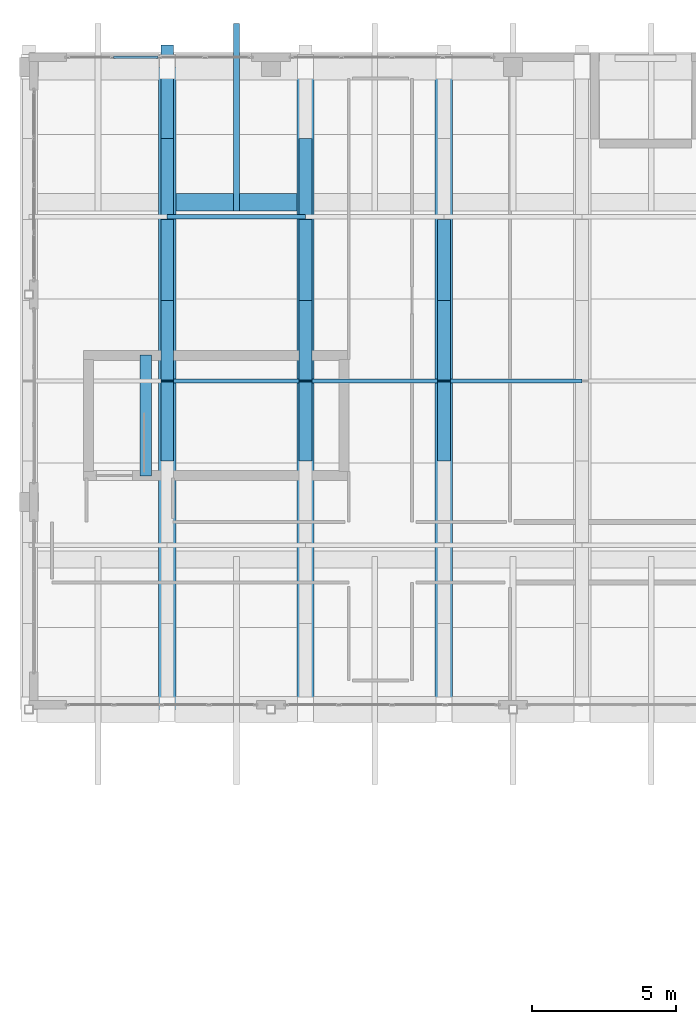
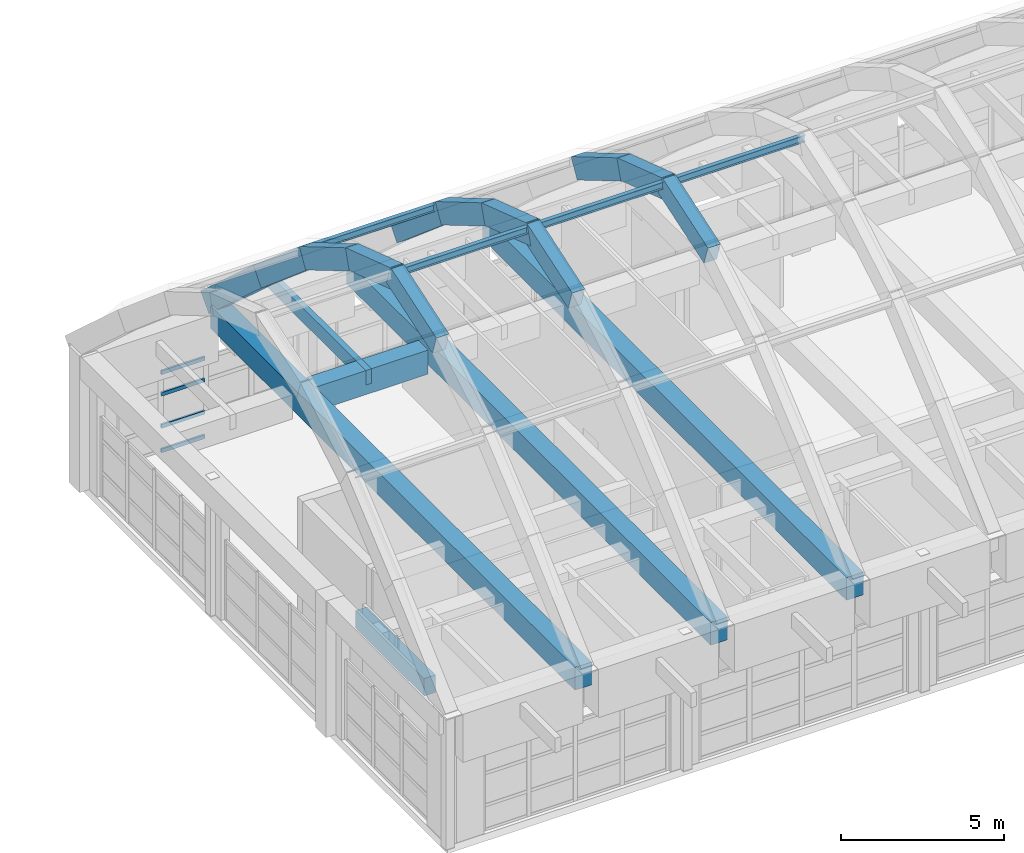
# One storey, part 37 of 78: 17 beams, 9 members, 1 element without a shape of its own.
"""IFC4 building model written with IfcOpenShell, lengths in metres."""

import ifcopenshell
import ifcopenshell.guid

model = None  # the IFC model being written
_history = None  # IfcOwnerHistory: only IFC2X3 demands one
_inside = {}  # id of a spatial element -> (the spatial element, [elements in it])
_under = {}  # id of a project, library or spatial element -> (it, [spatial elements below it])
_declared = {}  # id of a project -> (the project, [libraries it declares])
_typed = {}  # id of a type object -> (the type object, [elements of that type])
_made_of = {}  # id of a material, layer set ... -> (it, [elements and type objects made of it])


def new_model(schema):
    """Start an empty IFC model of exactly this schema.

    Asked for "IFC4X3", IfcOpenShell would pick the latest addendum, in which some entities
    have other attributes; the version numbers below select the first issue.
    IFC2X3 requires an IfcOwnerHistory on every rooted entity: one is made here for all.
    """
    global model, _history
    if schema == "IFC4X3":
        model = ifcopenshell.file(schema_version=(4, 3, 0, 0))
    else:
        model = ifcopenshell.file(schema=schema)
    _inside.clear()
    _under.clear()
    _declared.clear()
    _typed.clear()
    _made_of.clear()
    _history = None
    if model.schema == "IFC2X3":
        org = make("IfcOrganization", Name="unknown")
        user = make(
            "IfcPersonAndOrganization",
            ThePerson=make("IfcPerson", FamilyName="unknown"),
            TheOrganization=org,
        )
        app = make(
            "IfcApplication",
            ApplicationDeveloper=org,
            Version="unknown",
            ApplicationFullName="unknown",
            ApplicationIdentifier="unknown",
        )
        _history = make(
            "IfcOwnerHistory",
            OwningUser=user,
            OwningApplication=app,
            ChangeAction="ADDED",
            CreationDate=0,
        )
    return model


def make(cls, **values):
    """One entity of the class cls with the attributes given. An attribute that is None is left unset."""
    return model.create_entity(
        cls, **{name: value for name, value in values.items() if value is not None}
    )


def rooted(cls, **values):
    """An entity with a GlobalId (a new one), such as an element, a storey or a relation."""
    return make(cls, GlobalId=ifcopenshell.guid.new(), OwnerHistory=_history, **values)


def si_unit(unit_type, name, prefix=None):
    """IfcSIUnit, for example si_unit("LENGTHUNIT", "METRE", prefix="MILLI")."""
    return make("IfcSIUnit", UnitType=unit_type, Prefix=prefix, Name=name)


def assignment(units):
    """IfcUnitAssignment: the units of a project."""
    return None if units is None else make("IfcUnitAssignment", Units=units)


def point(xyz):
    """IfcCartesianPoint."""
    return None if xyz is None else make("IfcCartesianPoint", Coordinates=xyz)


def direction(xyz):
    """IfcDirection."""
    return None if xyz is None else make("IfcDirection", DirectionRatios=xyz)


def frame(location, z_axis=None, x_axis=None):
    """IfcAxis2Placement3D, a coordinate frame: its origin and axes. An axis left out is left unset."""
    return make(
        "IfcAxis2Placement3D",
        Location=point(location),
        Axis=direction(z_axis),
        RefDirection=direction(x_axis),
    )


def frame_2d(location, x_axis=None):
    """IfcAxis2Placement2D, a coordinate frame in the plane: its origin and x axis."""
    return make(
        "IfcAxis2Placement2D", Location=point(location), RefDirection=direction(x_axis)
    )


def origin():
    """The frame at (0, 0, 0) with its axes left unset."""
    return frame((0.0, 0.0, 0.0))


def origin_2d():
    """The frame at (0, 0) in the plane with its x axis left unset."""
    return frame_2d((0.0, 0.0))


def place(relative_to, where):
    """IfcLocalPlacement: puts the frame where relative to a parent placement (None: the world)."""
    return make(
        "IfcLocalPlacement", PlacementRelTo=relative_to, RelativePlacement=where
    )


def context(
    kind, dimensions, precision=None, world=None, true_north=None, identifier=None
):
    """IfcGeometricRepresentationContext, for example the 3D "Model" context."""
    return make(
        "IfcGeometricRepresentationContext",
        ContextIdentifier=identifier,
        ContextType=kind,
        CoordinateSpaceDimension=dimensions,
        Precision=precision,
        WorldCoordinateSystem=world,
        TrueNorth=true_north,
    )


def subcontext(parent, identifier, kind, view, scale=None):
    """IfcGeometricRepresentationSubContext, for example "Body" below "Model"."""
    return make(
        "IfcGeometricRepresentationSubContext",
        ContextIdentifier=identifier,
        ContextType=kind,
        ParentContext=parent,
        TargetScale=scale,
        TargetView=view,
    )


def project(units=None, contexts=None):
    """IfcProject with its units and contexts."""
    return rooted(
        "IfcProject",
        Name="project",
        RepresentationContexts=contexts,
        UnitsInContext=assignment(units),
    )


def spatial(cls, under=None, at=None, **own):
    """A site, building, storey or space (cls), placed at a placement, below another one or the project."""
    s = rooted(cls, ObjectPlacement=at, **own)
    if under is not None:
        _under.setdefault(under.id(), (under, []))[1].append(s)
    return s


def profile(cls, at=None, kind="AREA", **sizes):
    """A parametric profile (cls). Its sizes go by their IFC names, for example OverallWidth=200.0."""
    return make(cls, ProfileType=kind, Position=at, **sizes)


def rectangle(**sizes):
    """IfcRectangleProfileDef."""
    return profile("IfcRectangleProfileDef", **sizes)


def hollow_rectangle(**sizes):
    """IfcRectangleHollowProfileDef."""
    return profile("IfcRectangleHollowProfileDef", **sizes)


def i_section(**sizes):
    """IfcIShapeProfileDef."""
    return profile("IfcIShapeProfileDef", **sizes)


def extrude(swept, where, along, depth):
    """IfcExtrudedAreaSolid: the profile swept, set in the frame where, extruded along a direction by depth."""
    return make(
        "IfcExtrudedAreaSolid",
        SweptArea=swept,
        Position=where,
        ExtrudedDirection=direction(along),
        Depth=depth,
    )


def shape(context_of_items, identifier, shape_type, items):
    """IfcShapeRepresentation: the items that make up one representation, for example the "Body"."""
    return make(
        "IfcShapeRepresentation",
        ContextOfItems=context_of_items,
        RepresentationIdentifier=identifier,
        RepresentationType=shape_type,
        Items=items,
    )


def material(Name=None, Category=None):
    """IfcMaterial."""
    return make("IfcMaterial", Name=Name, Category=Category)


def layer(
    of_material, thickness, ventilated=None, Name=None, Category=None, Priority=None
):
    """IfcMaterialLayer: one layer of a wall or slab, of a material (None: an air gap)."""
    return make(
        "IfcMaterialLayer",
        Material=of_material,
        LayerThickness=thickness,
        IsVentilated=ventilated,
        Name=Name,
        Category=Category,
        Priority=Priority,
    )


def layer_set(layers, Name=None):
    """IfcMaterialLayerSet."""
    return make("IfcMaterialLayerSet", MaterialLayers=layers, LayerSetName=Name)


def material_profile(
    of_material, cross_section, Name=None, Category=None, Priority=None
):
    """IfcMaterialProfile: a cross section and its material."""
    return make(
        "IfcMaterialProfile",
        Name=Name,
        Material=of_material,
        Profile=cross_section,
        Priority=Priority,
        Category=Category,
    )


def profile_set(profiles, Name=None, composite=None):
    """IfcMaterialProfileSet."""
    return make(
        "IfcMaterialProfileSet",
        Name=Name,
        MaterialProfiles=profiles,
        CompositeProfile=composite,
    )


def made_of(thing, what):
    """Note that an element or type object is made of a material, layer set ...; save() writes the relation."""
    if what is not None:
        _made_of.setdefault(what.id(), (what, []))[1].append(thing)
    return thing


def type_object(cls, material=None, **own):
    """A type object (cls), such as IfcWallType, which elements share."""
    return made_of(rooted(cls, **own), material)


def element(
    cls,
    number,
    at=None,
    inside=None,
    cuts=None,
    type_object=None,
    material=None,
    context=None,
    identifier="Body",
    shape_type=None,
    held_by="IfcProductDefinitionShape",
    body=None,
    shapes=None,
    **own,
):
    """One element of the class cls, such as IfcWall. Its Tag is "e" and its number.

    at: its placement. inside: the storey or other place that contains it. cuts: it is an
    opening in that element (IfcRelVoidsElement). A single representation is given by context,
    identifier, shape_type and body (its items); several are given by shapes. held_by: the class
    of the entity that holds the representations. save() writes the other relations.
    """
    e = rooted(cls, Tag="e%d" % number, ObjectPlacement=at, **own)
    if body is not None:
        shapes = [shape(context, identifier, shape_type, body)]
    if shapes is not None:
        e.Representation = make(held_by, Representations=shapes)
    if inside is not None:
        _inside.setdefault(inside.id(), (inside, []))[1].append(e)
    if cuts is not None:
        rooted(
            "IfcRelVoidsElement", RelatingBuildingElement=cuts, RelatedOpeningElement=e
        )
    if type_object is not None:
        _typed.setdefault(type_object.id(), (type_object, []))[1].append(e)
    return made_of(e, material)


def aggregate(whole, parts):
    """IfcRelAggregates: a whole, such as a stair, and the parts it consists of."""
    return rooted("IfcRelAggregates", RelatingObject=whole, RelatedObjects=parts)


def save(model, path):
    """Write the relations noted so far, then the file.

    IfcRelAggregates (storeys below a building ...), IfcRelContainedInSpatialStructure (elements
    in a storey), IfcRelDefinesByType, IfcRelAssociatesMaterial and IfcRelDeclares: one each for
    every whole, place, type object, material and project.
    """
    for whole, parts in _under.values():
        aggregate(whole, parts)
    for where, things in _inside.values():
        rooted(
            "IfcRelContainedInSpatialStructure",
            RelatedElements=things,
            RelatingStructure=where,
        )
    for kind, things in _typed.values():
        rooted("IfcRelDefinesByType", RelatedObjects=things, RelatingType=kind)
    for what, things in _made_of.values():
        rooted("IfcRelAssociatesMaterial", RelatedObjects=things, RelatingMaterial=what)
    for by, libraries in _declared.values():
        rooted("IfcRelDeclares", RelatingContext=by, RelatedDefinitions=libraries)
    model.write(path)


model = new_model("IFC4")

# Units and contexts
model_context = context("Model", 3, precision=1e-05, world=origin(), true_north=direction((0.0, 1.0)))
body_context = subcontext(model_context, "Body", "Model", "MODEL_VIEW")
ifc_project = project(units=[si_unit("LENGTHUNIT", "METRE"), si_unit("AREAUNIT", "SQUARE_METRE"), si_unit("VOLUMEUNIT", "CUBIC_METRE"), si_unit("PLANEANGLEUNIT", "RADIAN"), si_unit("MASSUNIT", "GRAM", prefix="KILO")], contexts=[model_context])

# Site, building, storey
site_placement = place(None, origin())
site = spatial("IfcSite", under=ifc_project, at=site_placement, CompositionType="ELEMENT")
building_placement = place(site_placement, origin())
building = spatial("IfcBuilding", under=site, at=building_placement, Name="Quendrovan Civic Courthouse", CompositionType="ELEMENT")
storey_placement = place(building_placement, frame((0.0, 0.0, 20.39990234375)))
storey = spatial("IfcBuildingStorey", under=building, at=storey_placement, Name="L05", CompositionType="ELEMENT", Elevation=20.39990234375)

# Beams
ifc_material_1 = material(Name="Post-tensioned concrete C50/60", Category="concrete")
ifc_material_profile_1 = material_profile(ifc_material_1, rectangle(XDim=0.60009765625, YDim=0.85009765625, at=origin_2d()), Name="PT-TIE-600x850")
ifc_profile_set_1 = profile_set([ifc_material_profile_1], Name="Post-tensioned concrete C50/60")
beam_type_1 = type_object("IfcBeamType", Name="BM-PTTIE850", PredefinedType="BEAM", material=ifc_profile_set_1)
for number, where, z_axis, x_axis, name in (
    (1, (114.0, 87.60009765625, 4.675048828125), (0.0, 1.0, 0.0), (-1.0, 0.0, 0.0), "BV1 Vault Post-Tensioned Tie Beam A2"),
    (2, (118.800048828125, 87.60009765625, 4.675048828125), (0.0, 1.0, 0.0), (-1.0, 0.0, 0.0), "BV1 Vault Post-Tensioned Tie Beam A3"),
    (3, (123.60009765625, 87.60009765625, 4.675048828125), (0.0, 1.0, 0.0), (-1.0, 0.0, 0.0), "BV1 Vault Post-Tensioned Tie Beam A4"),
):
    element("IfcBeam", number, at=place(storey_placement, frame(where, z_axis=z_axis, x_axis=x_axis)), inside=storey, type_object=beam_type_1, Name=name, PredefinedType="BEAM", context=body_context, shape_type="SweptSolid", body=[
        extrude(rectangle(XDim=0.60009765625, YDim=0.85009765625, at=origin_2d()), origin(), (0.0, 0.0, 1.0), 22.2998046875),
    ])
ifc_material_2 = material(Name="Concrete C40/50", Category="concrete")
ifc_material_profile_2 = material_profile(ifc_material_2, rectangle(XDim=0.39990234375, YDim=0.64990234375, at=origin_2d()), Name="RC-BM-400x650")
ifc_profile_set_2 = profile_set([ifc_material_profile_2], Name="Concrete C40/50")
beam_type_2 = type_object("IfcBeamType", Name="BM-RC650", PredefinedType="JOIST", material=ifc_profile_set_2)
beam_1_placement = place(storey_placement, frame((113.25, 95.699951171875, -0.324951171875), z_axis=(0.0, 1.0, 0.0), x_axis=(-1.0, 0.0, 0.0)))
element("IfcBeam", 4, at=beam_1_placement, inside=storey, type_object=beam_type_2, Name="L05 Stair ST6 Landing Trimmer Beam", PredefinedType="JOIST", context=body_context, shape_type="SweptSolid", body=[
    extrude(rectangle(XDim=0.39990234375, YDim=0.64990234375, at=origin_2d()), origin(), (0.0, 0.0, 1.0), 4.199951171875),
])
ifc_material_profile_3 = material_profile(ifc_material_2, rectangle(XDim=0.60009765625, YDim=0.89990234375, at=origin_2d()), Name="RC-BM-600x900")
ifc_profile_set_3 = profile_set([ifc_material_profile_3], Name="Concrete C40/50")
beam_type_3 = type_object("IfcBeamType", Name="BM-RC900", PredefinedType="BEAM", material=ifc_profile_set_3)
beam_2_placement = place(storey_placement, frame((114.300048828125, 105.199951171875, 4.35009765625), z_axis=(1.0, 0.0, 0.0), x_axis=(0.0, 1.0, 0.0)))
element("IfcBeam", 5, at=beam_2_placement, inside=storey, type_object=beam_type_3, Name="BV1 Eave Backspan Collector Beam N-B2", PredefinedType="BEAM", context=body_context, shape_type="SweptSolid", body=[
    extrude(rectangle(XDim=0.60009765625, YDim=0.89990234375, at=origin_2d()), origin(), (0.0, 0.0, 1.0), 4.199951171875),
])
ifc_material_profile_4 = material_profile(ifc_material_2, rectangle(XDim=0.449951171875, YDim=0.75, at=origin_2d()), Name="RC-VRIB-450x750")
ifc_profile_set_4 = profile_set([ifc_material_profile_4], Name="Concrete C40/50")
beam_type_4 = type_object("IfcBeamType", Name="BM-VRIB750", PredefinedType="BEAM", material=ifc_profile_set_4)
for number, where, z_axis, x_axis, name in (
    (6, (114.0, 96.33154296875, 11.8115234375), (0.0, 0.948872737185, 0.315658880164), (-1.0, 0.0, 0.0), "BV1 Concrete Vault Arch Rib A2-C4"),
    (7, (114.0, 98.8583984375, 12.746337890625), (0.0, 0.948872737185, -0.315658880164), (-1.0, 0.0, 0.0), "BV1 Concrete Vault Arch Rib A2-C5"),
):
    element("IfcBeam", number, at=place(storey_placement, frame(where, z_axis=z_axis, x_axis=x_axis)), inside=storey, type_object=beam_type_4, Name=name, PredefinedType="BEAM", context=body_context, shape_type="SweptSolid", body=[
        extrude(rectangle(XDim=0.449951171875, YDim=0.75, at=origin_2d()), origin(), (0.0, 0.0, 1.0), 2.96142578125),
    ])
beam_3_placement = place(storey_placement, frame((114.0, 101.557861328125, 11.86181640625), z_axis=(0.0, 0.861355141515, -0.508003267889), x_axis=(-1.0, 0.0, 0.0)))
element("IfcBeam", 8, at=beam_3_placement, inside=storey, type_object=beam_type_4, Name="BV1 Concrete Vault Arch Rib A2-C6", PredefinedType="BEAM", context=body_context, shape_type="SweptSolid", body=[
    extrude(rectangle(XDim=0.449951171875, YDim=0.75, at=origin_2d()), origin(), (0.0, 0.0, 1.0), 3.308837890625),
])
beam_4_placement = place(storey_placement, frame((114.0, 104.327880859375, 10.23779296875), z_axis=(0.0, 0.762387086329, -0.647121264214), x_axis=(-1.0, 0.0, 0.0)))
element("IfcBeam", 9, at=beam_4_placement, inside=storey, type_object=beam_type_4, Name="BV1 Concrete Vault Arch Rib A2-C7", PredefinedType="BEAM", context=body_context, shape_type="SweptSolid", body=[
    extrude(rectangle(XDim=0.449951171875, YDim=0.75, at=origin_2d()), origin(), (0.0, 0.0, 1.0), 3.73828125),
])
beam_5_placement = place(storey_placement, frame((114.0, 107.123291015625, 7.871826171875), z_axis=(0.0, 0.740733725172, -0.671798740988), x_axis=(-1.0, 0.0, 0.0)))
element("IfcBeam", 10, at=beam_5_placement, inside=storey, type_object=beam_type_4, Name="BV1 Concrete Vault Arch Rib A2-C8", PredefinedType="BEAM", context=body_context, shape_type="SweptSolid", body=[
    extrude(rectangle(XDim=0.449951171875, YDim=0.75, at=origin_2d()), origin(), (0.0, 0.0, 1.0), 4.423583984375),
])
for number, where, z_axis, x_axis, name in (
    (11, (118.800048828125, 96.33154296875, 11.8115234375), (0.0, 0.948872737185, 0.315658880164), (-1.0, 0.0, 0.0), "BV1 Concrete Vault Arch Rib A3-C4"),
    (12, (118.800048828125, 98.8583984375, 12.746337890625), (0.0, 0.948872737185, -0.315658880164), (-1.0, 0.0, 0.0), "BV1 Concrete Vault Arch Rib A3-C5"),
):
    element("IfcBeam", number, at=place(storey_placement, frame(where, z_axis=z_axis, x_axis=x_axis)), inside=storey, type_object=beam_type_4, Name=name, PredefinedType="BEAM", context=body_context, shape_type="SweptSolid", body=[
        extrude(rectangle(XDim=0.449951171875, YDim=0.75, at=origin_2d()), origin(), (0.0, 0.0, 1.0), 2.96142578125),
    ])
beam_6_placement = place(storey_placement, frame((118.800048828125, 101.557861328125, 11.86181640625), z_axis=(0.0, 0.861355141515, -0.508003267889), x_axis=(-1.0, 0.0, 0.0)))
element("IfcBeam", 13, at=beam_6_placement, inside=storey, type_object=beam_type_4, Name="BV1 Concrete Vault Arch Rib A3-C6", PredefinedType="BEAM", context=body_context, shape_type="SweptSolid", body=[
    extrude(rectangle(XDim=0.449951171875, YDim=0.75, at=origin_2d()), origin(), (0.0, 0.0, 1.0), 3.308837890625),
])
beam_7_placement = place(storey_placement, frame((118.800048828125, 104.327880859375, 10.23779296875), z_axis=(0.0, 0.762387086329, -0.647121264214), x_axis=(-1.0, 0.0, 0.0)))
element("IfcBeam", 14, at=beam_7_placement, inside=storey, type_object=beam_type_4, Name="BV1 Concrete Vault Arch Rib A3-C7", PredefinedType="BEAM", context=body_context, shape_type="SweptSolid", body=[
    extrude(rectangle(XDim=0.449951171875, YDim=0.75, at=origin_2d()), origin(), (0.0, 0.0, 1.0), 3.73828125),
])
for number, where, z_axis, x_axis, name in (
    (15, (123.60009765625, 96.33154296875, 11.8115234375), (0.0, 0.948872737185, 0.315658880164), (-1.0, 0.0, 0.0), "BV1 Concrete Vault Arch Rib A4-C4"),
    (16, (123.60009765625, 98.8583984375, 12.746337890625), (0.0, 0.948872737185, -0.315658880164), (-1.0, 0.0, 0.0), "BV1 Concrete Vault Arch Rib A4-C5"),
):
    element("IfcBeam", number, at=place(storey_placement, frame(where, z_axis=z_axis, x_axis=x_axis)), inside=storey, type_object=beam_type_4, Name=name, PredefinedType="BEAM", context=body_context, shape_type="SweptSolid", body=[
        extrude(rectangle(XDim=0.449951171875, YDim=0.75, at=origin_2d()), origin(), (0.0, 0.0, 1.0), 2.96142578125),
    ])
beam_8_placement = place(storey_placement, frame((123.60009765625, 101.557861328125, 11.86181640625), z_axis=(0.0, 0.861355141515, -0.508003267889), x_axis=(-1.0, 0.0, 0.0)))
element("IfcBeam", 17, at=beam_8_placement, inside=storey, type_object=beam_type_4, Name="BV1 Concrete Vault Arch Rib A4-C6", PredefinedType="BEAM", context=body_context, shape_type="SweptSolid", body=[
    extrude(rectangle(XDim=0.449951171875, YDim=0.75, at=origin_2d()), origin(), (0.0, 0.0, 1.0), 3.308837890625),
])

# Curtain wall, members
ifc_material_3 = material(Name="Bronze anodised aluminium and low-E glass", Category="aluminium")
ifc_layer = layer(ifc_material_3, 0.179931640625, Name="Bronze anodised aluminium and low-E glass")
ifc_layer_set = layer_set([ifc_layer], Name="Bronze anodised aluminium and low-E glass")
curtain_wall_type = type_object("IfcCurtainWallType", Name="CW-U64x30", PredefinedType="USERDEFINED", material=ifc_layer_set)
curtain_wall_placement = place(storey_placement, origin())
curtain_wall = element("IfcCurtainWall", 18, at=curtain_wall_placement, inside=storey, type_object=curtain_wall_type, Name="L05 Unitised Hurricane Curtain Wall CW-192", ObjectType="UNITISED CURTAIN WALL", PredefinedType="USERDEFINED")
ifc_material_4 = material(Name="Bronze anodised aluminium", Category="aluminium")
ifc_material_profile_5 = material_profile(ifc_material_4, hollow_rectangle(XDim=0.070068359375, YDim=0.139892578125, WallThickness=0.00390625, at=origin_2d()), Name="CW-TRAN-70x140")
ifc_profile_set_5 = profile_set([ifc_material_profile_5], Name="Bronze anodised aluminium")
member_type_1 = type_object("IfcMemberType", Name="CW-TRAN-A", PredefinedType="USERDEFINED", material=ifc_profile_set_5)
member_1_placement = place(storey_placement, frame((112.141357421875, 110.235107421875, 0.03515625), z_axis=(1.0, 0.0, 0.0), x_axis=(0.0, 1.0, 0.0)))
member_1 = element("IfcMember", 19, at=member_1_placement, type_object=member_type_1, Name="CW-192 transom 2.1", ObjectType="TRANSOM", PredefinedType="USERDEFINED", context=body_context, shape_type="SweptSolid", body=[
    extrude(hollow_rectangle(XDim=0.070068359375, YDim=0.139892578125, WallThickness=0.00390625, at=origin_2d()), origin(), (0.0, 0.0, 1.0), 1.5361328125),
])
member_2_placement = place(storey_placement, frame((112.141357421875, 110.235107421875, 0.9501953125), z_axis=(1.0, 0.0, 0.0), x_axis=(0.0, 1.0, 0.0)))
member_2 = element("IfcMember", 20, at=member_2_placement, type_object=member_type_1, Name="CW-192 transom 2.2", ObjectType="TRANSOM", PredefinedType="USERDEFINED", context=body_context, shape_type="SweptSolid", body=[
    extrude(hollow_rectangle(XDim=0.070068359375, YDim=0.139892578125, WallThickness=0.00390625, at=origin_2d()), origin(), (0.0, 0.0, 1.0), 1.5361328125),
])
member_3_placement = place(storey_placement, frame((112.141357421875, 110.235107421875, 2.150146484375), z_axis=(1.0, 0.0, 0.0), x_axis=(0.0, 1.0, 0.0)))
member_3 = element("IfcMember", 21, at=member_3_placement, type_object=member_type_1, Name="CW-192 transom 2.3", ObjectType="TRANSOM", PredefinedType="USERDEFINED", context=body_context, shape_type="SweptSolid", body=[
    extrude(hollow_rectangle(XDim=0.070068359375, YDim=0.139892578125, WallThickness=0.00390625, at=origin_2d()), origin(), (0.0, 0.0, 1.0), 1.5361328125),
])
member_4_placement = place(storey_placement, frame((112.141357421875, 110.235107421875, 2.955078125), z_axis=(1.0, 0.0, 0.0), x_axis=(0.0, 1.0, 0.0)))
member_4 = element("IfcMember", 22, at=member_4_placement, type_object=member_type_1, Name="CW-192 transom 2.4", ObjectType="TRANSOM", PredefinedType="USERDEFINED", context=body_context, shape_type="SweptSolid", body=[
    extrude(hollow_rectangle(XDim=0.070068359375, YDim=0.139892578125, WallThickness=0.00390625, at=origin_2d()), origin(), (0.0, 0.0, 1.0), 1.5361328125),
])
aggregate(curtain_wall, [member_1, member_2, member_3, member_4])

# Members
ifc_material_5 = material(Name="Western Red Cedar Glulam GL28h", Category="wood")
ifc_material_profile_6 = material_profile(ifc_material_5, rectangle(XDim=0.199951171875, YDim=0.5400390625, at=origin_2d()), Name="GL28H-200x540")
ifc_profile_set_6 = profile_set([ifc_material_profile_6], Name="Western Red Cedar Glulam GL28h")
member_type_2 = type_object("IfcMemberType", Name="MEM-PUR-GL540", PredefinedType="PURLIN", material=ifc_profile_set_6)
member_5_placement = place(storey_placement, frame((116.39990234375, 104.89990234375, 4.530029296875), z_axis=(0.0, 1.0, 0.0), x_axis=(-1.0, 0.0, 0.0)))
element("IfcMember", 23, at=member_5_placement, inside=storey, type_object=member_type_2, Name="BV1 Cedar Glulam North Hurricane Eave Outrigger B2", PredefinedType="PURLIN", context=body_context, shape_type="SweptSolid", body=[
    extrude(rectangle(XDim=0.199951171875, YDim=0.5400390625, at=origin_2d()), origin(), (0.0, 0.0, 1.0), 6.5),
])
ifc_material_6 = material(Name="Steel ASTM A992 Grade 50", Category="steel")
ifc_material_profile_7 = material_profile(ifc_material_6, i_section(OverallWidth=0.14599609375, OverallDepth=0.258056640625, WebThickness=0.006103515625, FlangeThickness=0.009033203125, at=origin_2d()), Name="W250x33")
ifc_profile_set_7 = profile_set([ifc_material_profile_7], Name="Steel ASTM A992 Grade 50")
member_type_3 = type_object("IfcMemberType", Name="MEM-PUR-W250", PredefinedType="PURLIN", material=ifc_profile_set_7)
for number, where, z_axis, x_axis, name in (
    (24, (114.0, 99.0, 12.860107421875), (1.0, 0.0, 0.0), (0.0, 1.0, 0.0), "BV1 Vault Longitudinal Purlin B2-2"),
    (25, (114.0, 104.699951171875, 10.236083984375), (1.0, 0.0, 0.0), (0.0, 1.0, 0.0), "BV1 Vault Longitudinal Purlin B2-3"),
    (26, (118.800048828125, 99.0, 12.860107421875), (1.0, 0.0, 0.0), (0.0, 1.0, 0.0), "BV1 Vault Longitudinal Purlin B3-2"),
):
    element("IfcMember", number, at=place(storey_placement, frame(where, z_axis=z_axis, x_axis=x_axis)), inside=storey, type_object=member_type_3, Name=name, PredefinedType="PURLIN", context=body_context, shape_type="SweptSolid", body=[
        extrude(i_section(OverallWidth=0.14599609375, OverallDepth=0.258056640625, WebThickness=0.006103515625, FlangeThickness=0.009033203125, at=origin_2d()), origin(), (0.0, 0.0, 1.0), 4.800048828125),
    ])
member_6_placement = place(storey_placement, frame((123.60009765625, 99.0, 12.860107421875), z_axis=(1.0, 0.0, 0.0), x_axis=(0.0, 1.0, 0.0)))
element("IfcMember", 27, at=member_6_placement, inside=storey, type_object=member_type_3, Name="BV1 Vault Longitudinal Purlin B4-2", PredefinedType="PURLIN", context=body_context, shape_type="SweptSolid", body=[
    extrude(i_section(OverallWidth=0.14599609375, OverallDepth=0.258056640625, WebThickness=0.006103515625, FlangeThickness=0.009033203125, at=origin_2d()), origin(), (0.0, 0.0, 1.0), 4.7998046875),
])

save(model, "model.ifc")
